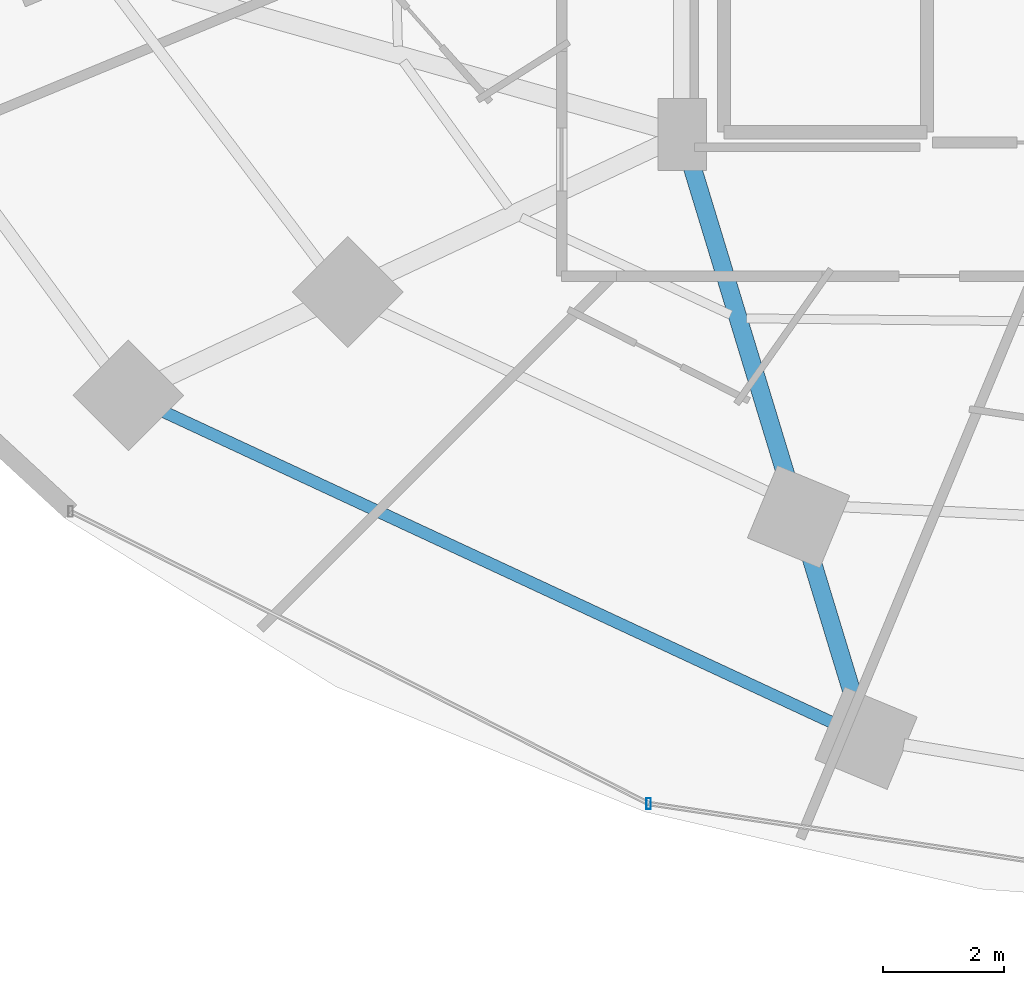
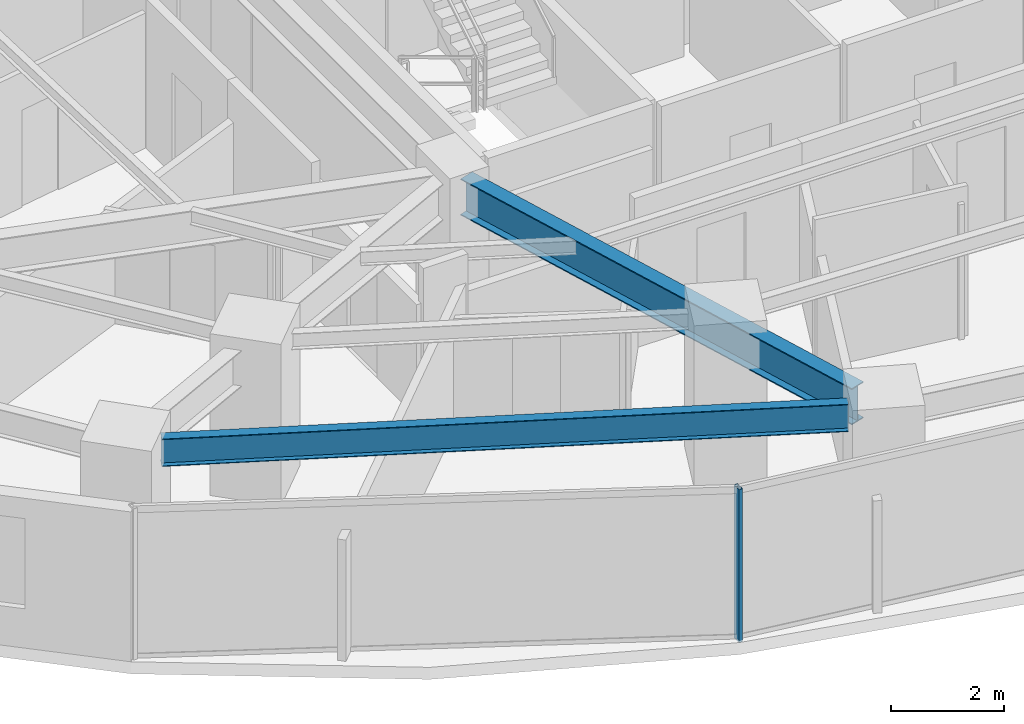
# One storey, part 5 of 34: 2 beams, 1 member, 1 element without a shape of its own.
"""IFC4 building model written with IfcOpenShell, lengths in metres."""

from ifc_helpers import new_model, si_unit, direction, frame, origin, origin_2d, place, context, subcontext, project, spatial, hollow_rectangle, i_section, extrude, material, material_profile, profile_set, type_object, element, aggregate, save


model = new_model("IFC4")

# Units and contexts
model_context = context("Model", 3, precision=1e-05, world=origin(), true_north=direction((0.0, 1.0)))
body_context = subcontext(model_context, "Body", "Model", "MODEL_VIEW")
ifc_project = project(units=[si_unit("LENGTHUNIT", "METRE"), si_unit("AREAUNIT", "SQUARE_METRE"), si_unit("VOLUMEUNIT", "CUBIC_METRE"), si_unit("PLANEANGLEUNIT", "RADIAN"), si_unit("MASSUNIT", "GRAM", prefix="KILO")], contexts=[model_context])

# Site, building, storey
site_placement = place(None, origin())
site = spatial("IfcSite", under=ifc_project, at=site_placement, CompositionType="ELEMENT")
building_placement = place(site_placement, origin())
building = spatial("IfcBuilding", under=site, at=building_placement, Name="Vorneva Point Tower", CompositionType="ELEMENT")
storey_placement = place(building_placement, frame((0.0, 0.0, 31.0)))
storey = spatial("IfcBuildingStorey", under=building, at=storey_placement, Name="L07", CompositionType="ELEMENT", Elevation=31.0)

# Beams
ifc_material_1 = material(Name="Steel S355", Category="steel")
ifc_material_profile_1 = material_profile(ifc_material_1, i_section(OverallWidth=0.300048828125, OverallDepth=0.7880859375, WebThickness=0.014404296875, FlangeThickness=0.02197265625, at=origin_2d()), Name="80Sh1")
ifc_profile_set_1 = profile_set([ifc_material_profile_1], Name="Steel S355")
beam_type_1 = type_object("IfcBeamType", Name="BM-GRD-80Sh1", PredefinedType="USERDEFINED", material=ifc_profile_set_1)
beam_1_placement = place(storey_placement, frame((30.111083984375, 7.045654296875, 2.845947265625), z_axis=(-0.29104183924, 0.956710325967, 0.0), x_axis=(-0.956710325967, -0.29104183924, 0.0)))
element("IfcBeam", 1, at=beam_1_placement, inside=storey, type_object=beam_type_1, Name="L07 Radial Primary Girder 12", ObjectType="GIRDER", PredefinedType="USERDEFINED", context=body_context, shape_type="SweptSolid", body=[
    extrude(i_section(OverallWidth=0.300048828125, OverallDepth=0.7880859375, WebThickness=0.014404296875, FlangeThickness=0.02197265625, at=origin_2d()), origin(), (0.0, 0.0, 1.0), 9.489990234375),
])
ifc_material_profile_2 = material_profile(ifc_material_1, i_section(OverallWidth=0.198974609375, OverallDepth=0.595947265625, WebThickness=0.010009765625, FlangeThickness=0.014892578125, at=origin_2d()), Name="60B1")
ifc_profile_set_2 = profile_set([ifc_material_profile_2], Name="Steel S355")
beam_type_2 = type_object("IfcBeamType", Name="BM-SPN-60B1", PredefinedType="SPANDREL", material=ifc_profile_set_2)
beam_2_placement = place(storey_placement, frame((18.63720703125, 11.8564453125, 2.94189453125), z_axis=(0.906776698196, -0.421611218551, 0.0), x_axis=(0.421611218551, 0.906776698196, 0.0)))
element("IfcBeam", 2, at=beam_2_placement, inside=storey, type_object=beam_type_2, Name="L07 Perimeter Spandrel Ring Beam 11", PredefinedType="SPANDREL", context=body_context, shape_type="SweptSolid", body=[
    extrude(i_section(OverallWidth=0.198974609375, OverallDepth=0.595947265625, WebThickness=0.010009765625, FlangeThickness=0.014892578125, at=origin_2d()), origin(), (0.0, 0.0, 1.0), 12.223388671875),
])

# Curtain wall, member
ifc_material_2 = material(Name="Pale anodised aluminium", Category="aluminium")
curtain_wall_type = type_object("IfcCurtainWallType", Name="CW-HTL-SYS", PredefinedType="NOTDEFINED", material=ifc_material_2)
curtain_wall_placement = place(storey_placement, origin())
curtain_wall = element("IfcCurtainWall", 3, at=curtain_wall_placement, inside=storey, type_object=curtain_wall_type, Name="L07 Unitised Curtain Wall CW-L07-R04", PredefinedType="NOTDEFINED")
ifc_material_profile_3 = material_profile(ifc_material_2, hollow_rectangle(XDim=0.074951171875, YDim=0.179931640625, WallThickness=0.00390625, at=origin_2d()), Name="AL-MUL 180x75x4")
ifc_profile_set_3 = profile_set([ifc_material_profile_3], Name="Pale anodised aluminium")
member_type = type_object("IfcMemberType", Name="CW-MUL-180", PredefinedType="MULLION", material=ifc_profile_set_3)
member_placement = place(storey_placement, frame((26.691650390625, 5.351318359375, -0.0400390625), z_axis=(0.0, 0.0, 1.0), x_axis=(1.0, 0.0, 0.0)))
member = element("IfcMember", 4, at=member_placement, type_object=member_type, Name="CW-L07-R04 Mullion 02", PredefinedType="MULLION", context=body_context, shape_type="SweptSolid", body=[
    extrude(hollow_rectangle(XDim=0.074951171875, YDim=0.179931640625, WallThickness=0.00390625, at=origin_2d()), origin(), (0.0, 0.0, 1.0), 3.31005859375),
])
aggregate(curtain_wall, [member])

save(model, "model.ifc")
